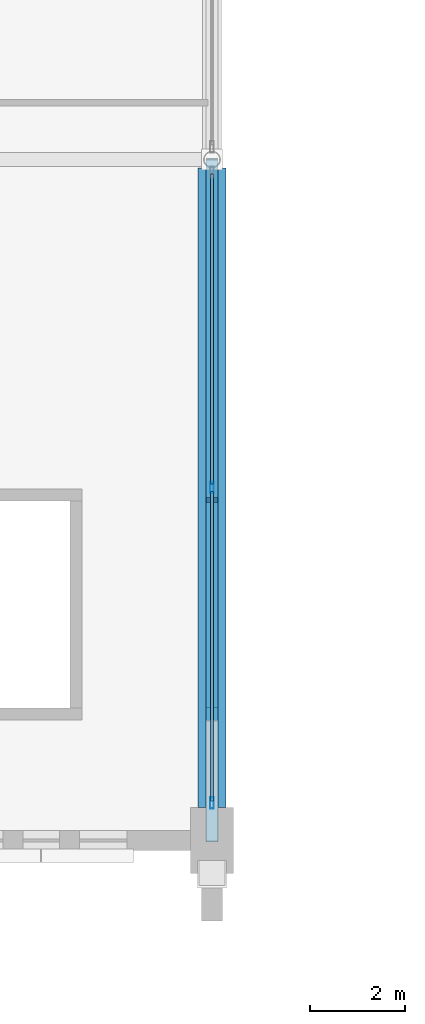
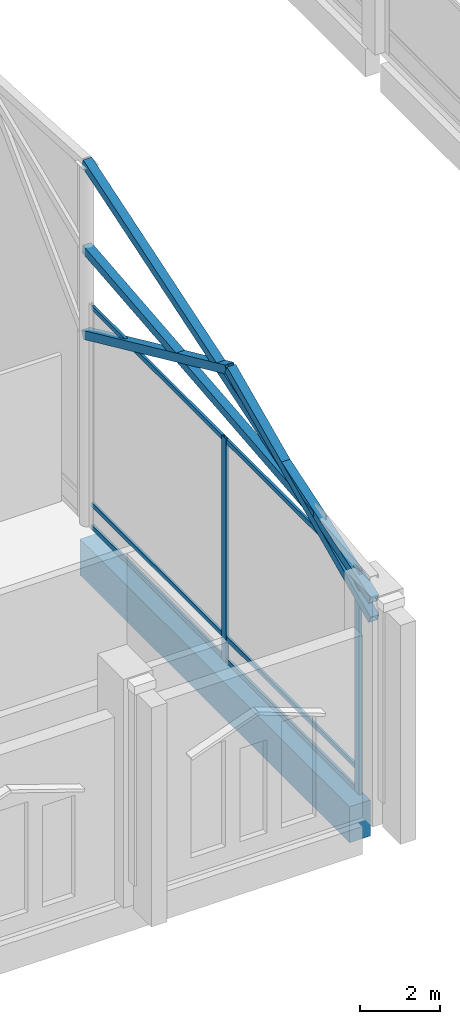
# One storey, part 48 of 220: 12 members, 1 beam, 1 element without a shape of its own.
"""IFC4 building model written with IfcOpenShell, lengths in metres."""

from ifc_helpers import new_model, si_unit, direction, frame, origin, origin_2d, place, context, subcontext, project, spatial, rectangle, hollow_rectangle, extrude, material, material_profile, profile_set, type_object, element, aggregate, save


model = new_model("IFC4")

# Units and contexts
model_context = context("Model", 3, precision=1e-05, world=origin(), true_north=direction((0.0, 1.0)))
body_context = subcontext(model_context, "Body", "Model", "MODEL_VIEW")
ifc_project = project(units=[si_unit("LENGTHUNIT", "METRE"), si_unit("AREAUNIT", "SQUARE_METRE"), si_unit("VOLUMEUNIT", "CUBIC_METRE"), si_unit("PLANEANGLEUNIT", "RADIAN"), si_unit("MASSUNIT", "GRAM", prefix="KILO")], contexts=[model_context])

# Site, building, storey
site_placement = place(None, origin())
site = spatial("IfcSite", under=ifc_project, at=site_placement, CompositionType="ELEMENT")
building_placement = place(site_placement, origin())
building = spatial("IfcBuilding", under=site, at=building_placement, Name="Cendralis Lancet Convention Centre", CompositionType="ELEMENT")
storey_placement = place(building_placement, frame((0.0, 0.0, 5.39990234375)))
storey = spatial("IfcBuildingStorey", under=building, at=storey_placement, Name="L01", CompositionType="ELEMENT", Elevation=5.39990234375)

# Curtain wall, members
ifc_material_1 = material(Name="Anodised bronze architectural aluminium", Category="aluminium")
curtain_wall_type = type_object("IfcCurtainWallType", Name="ARC-CW-GB02", PredefinedType="USERDEFINED", material=ifc_material_1)
curtain_wall_placement = place(storey_placement, origin())
curtain_wall = element("IfcCurtainWall", 1, at=curtain_wall_placement, inside=storey, type_object=curtain_wall_type, Name="L01 Curtain Wall CW-GB2 #105", ObjectType="CURTAIN WALL", PredefinedType="USERDEFINED")
ifc_material_profile_1 = material_profile(ifc_material_1, hollow_rectangle(XDim=0.080078125, YDim=0.239990234375, WallThickness=0.0048828125, at=origin_2d()), Name="AL-MULL 80x240x5.0")
ifc_profile_set_1 = profile_set([ifc_material_profile_1], Name="Anodised bronze architectural aluminium")
member_type_1 = type_object("IfcMemberType", Name="ARC-CW-ML03", PredefinedType="MULLION", material=ifc_profile_set_1)
member_1_placement = place(storey_placement, frame((122.39990234375, 57.861083984375, 0.0), z_axis=(0.0, 0.0, 1.0), x_axis=(1.0, 0.0, 0.0)))
member_1 = element("IfcMember", 2, at=member_1_placement, type_object=member_type_1, Name="Mullion CW2-CW-GB2-L01-105-M1", PredefinedType="MULLION", context=body_context, shape_type="SweptSolid", body=[
    extrude(hollow_rectangle(XDim=0.080078125, YDim=0.239990234375, WallThickness=0.0048828125, at=origin_2d()), origin(), (0.0, 0.0, 1.0), 6.85009765625),
])
member_2_placement = place(storey_placement, frame((122.39990234375, 51.18994140625, 0.0), z_axis=(0.0, 0.0, 1.0), x_axis=(1.0, 0.0, 0.0)))
member_2 = element("IfcMember", 3, at=member_2_placement, type_object=member_type_1, Name="Mullion CW2-CW-GB2-L01-105-M2", PredefinedType="MULLION", context=body_context, shape_type="SweptSolid", body=[
    extrude(hollow_rectangle(XDim=0.080078125, YDim=0.239990234375, WallThickness=0.0048828125, at=origin_2d()), origin(), (0.0, 0.0, 1.0), 6.85009765625),
])
ifc_material_profile_2 = material_profile(ifc_material_1, hollow_rectangle(XDim=0.070068359375, YDim=0.139892578125, WallThickness=0.00390625, at=origin_2d()), Name="AL-TRAN 70x140x4.0")
ifc_profile_set_2 = profile_set([ifc_material_profile_2], Name="Anodised bronze architectural aluminium")
member_type_2 = type_object("IfcMemberType", Name="ARC-CW-TR02", PredefinedType="USERDEFINED", material=ifc_profile_set_2)
member_3_placement = place(storey_placement, frame((122.39990234375, 64.4921875, 0.070068359375), z_axis=(0.0, -1.0, 0.0), x_axis=(1.0, 0.0, 0.0)))
member_3 = element("IfcMember", 4, at=member_3_placement, type_object=member_type_2, Name="Transom CW2-CW-GB2-L01-105-T0BOT", ObjectType="TRANSOM", PredefinedType="USERDEFINED", context=body_context, shape_type="SweptSolid", body=[
    extrude(hollow_rectangle(XDim=0.070068359375, YDim=0.139892578125, WallThickness=0.00390625, at=origin_2d()), origin(), (0.0, 0.0, 1.0), 6.551025390625),
])
member_4_placement = place(storey_placement, frame((122.39990234375, 64.4921875, 0.75), z_axis=(0.0, -1.0, 0.0), x_axis=(1.0, 0.0, 0.0)))
member_4 = element("IfcMember", 5, at=member_4_placement, type_object=member_type_2, Name="Transom CW2-CW-GB2-L01-105-T0MID", ObjectType="TRANSOM", PredefinedType="USERDEFINED", context=body_context, shape_type="SweptSolid", body=[
    extrude(hollow_rectangle(XDim=0.070068359375, YDim=0.139892578125, WallThickness=0.00390625, at=origin_2d()), origin(), (0.0, 0.0, 1.0), 6.551025390625),
])
member_5_placement = place(storey_placement, frame((122.39990234375, 64.4921875, 6.780029296875), z_axis=(0.0, -1.0, 0.0), x_axis=(1.0, 0.0, 0.0)))
member_5 = element("IfcMember", 6, at=member_5_placement, type_object=member_type_2, Name="Transom CW2-CW-GB2-L01-105-T0TOP", ObjectType="TRANSOM", PredefinedType="USERDEFINED", context=body_context, shape_type="SweptSolid", body=[
    extrude(hollow_rectangle(XDim=0.070068359375, YDim=0.139892578125, WallThickness=0.00390625, at=origin_2d()), origin(), (0.0, 0.0, 1.0), 6.551025390625),
])
member_6_placement = place(storey_placement, frame((122.39990234375, 57.781005859375, 0.070068359375), z_axis=(0.0, -1.0, 0.0), x_axis=(1.0, 0.0, 0.0)))
member_6 = element("IfcMember", 7, at=member_6_placement, type_object=member_type_2, Name="Transom CW2-CW-GB2-L01-105-T1BOT", ObjectType="TRANSOM", PredefinedType="USERDEFINED", context=body_context, shape_type="SweptSolid", body=[
    extrude(hollow_rectangle(XDim=0.070068359375, YDim=0.139892578125, WallThickness=0.00390625, at=origin_2d()), origin(), (0.0, 0.0, 1.0), 6.551025390625),
])
member_7_placement = place(storey_placement, frame((122.39990234375, 57.781005859375, 0.75), z_axis=(0.0, -1.0, 0.0), x_axis=(1.0, 0.0, 0.0)))
member_7 = element("IfcMember", 8, at=member_7_placement, type_object=member_type_2, Name="Transom CW2-CW-GB2-L01-105-T1MID", ObjectType="TRANSOM", PredefinedType="USERDEFINED", context=body_context, shape_type="SweptSolid", body=[
    extrude(hollow_rectangle(XDim=0.070068359375, YDim=0.139892578125, WallThickness=0.00390625, at=origin_2d()), origin(), (0.0, 0.0, 1.0), 6.551025390625),
])
member_8_placement = place(storey_placement, frame((122.39990234375, 57.781005859375, 6.780029296875), z_axis=(0.0, -1.0, 0.0), x_axis=(1.0, 0.0, 0.0)))
member_8 = element("IfcMember", 9, at=member_8_placement, type_object=member_type_2, Name="Transom CW2-CW-GB2-L01-105-T1TOP", ObjectType="TRANSOM", PredefinedType="USERDEFINED", context=body_context, shape_type="SweptSolid", body=[
    extrude(hollow_rectangle(XDim=0.070068359375, YDim=0.139892578125, WallThickness=0.00390625, at=origin_2d()), origin(), (0.0, 0.0, 1.0), 6.551025390625),
])
aggregate(curtain_wall, [member_1, member_2, member_3, member_4, member_5, member_6, member_7, member_8])

# Beam
ifc_material_2 = material(Name="Concrete G40 (C40/50)", Category="concrete")
ifc_material_profile_3 = material_profile(ifc_material_2, rectangle(XDim=0.60009765625, YDim=1.10009765625, at=origin_2d()), Name="RCB 600x1100")
ifc_profile_set_3 = profile_set([ifc_material_profile_3], Name="Concrete G40 (C40/50)")
beam_type = type_object("IfcBeamType", Name="STR-BM-BG02-EXT", PredefinedType="BEAM", material=ifc_profile_set_3)
beam_placement = place(storey_placement, frame((122.39990234375, 51.10009765625, -0.829833984375), z_axis=(0.0, 1.0, 0.0), x_axis=(-1.0, 0.0, 0.0)))
element("IfcBeam", 10, at=beam_placement, inside=storey, type_object=beam_type, Name="L01 Beam BG02 #1225", PredefinedType="BEAM", context=body_context, shape_type="SweptSolid", body=[
    extrude(rectangle(XDim=0.60009765625, YDim=1.10009765625, at=origin_2d()), origin(), (0.0, 0.0, 1.0), 13.522216796875),
])

# Members
ifc_material_3 = material(Name="Steel S355", Category="steel")
ifc_material_profile_4 = material_profile(ifc_material_3, hollow_rectangle(XDim=0.25, YDim=0.25, WallThickness=0.012451171875, at=origin_2d()), Name="SHS 250x250x12.5")
ifc_profile_set_4 = profile_set([ifc_material_profile_4], Name="Steel S355")
member_type_3 = type_object("IfcMemberType", Name="STR-BR-GB01", PredefinedType="BRACE", material=ifc_profile_set_4)
member_9_placement = place(storey_placement, frame((122.39990234375, 50.39990234375, 5.800048828125), z_axis=(0.0, 0.909358515773, 0.416013328862), x_axis=(-1.0, 0.0, 0.0)))
element("IfcMember", 11, at=member_9_placement, inside=storey, type_object=member_type_3, Name="Exhibition Gable Gothic Ogival Tracery Rib GBR1 #031", PredefinedType="BRACE", context=body_context, shape_type="SweptSolid", body=[
    extrude(hollow_rectangle(XDim=0.25, YDim=0.25, WallThickness=0.012451171875, at=origin_2d()), origin(), (0.0, 0.0, 1.0), 7.91796875),
])
member_10_placement = place(storey_placement, frame((122.39990234375, 64.800048828125, 5.800048828125), z_axis=(0.0, -0.909353179185, 0.416024993848), x_axis=(1.0, 0.0, 0.0)))
element("IfcMember", 12, at=member_10_placement, inside=storey, type_object=member_type_3, Name="Exhibition Gable Gothic Ogival Tracery Rib GBR1 #032", PredefinedType="BRACE", context=body_context, shape_type="SweptSolid", body=[
    extrude(hollow_rectangle(XDim=0.25, YDim=0.25, WallThickness=0.012451171875, at=origin_2d()), origin(), (0.0, 0.0, 1.0), 7.917724609375),
])
member_11_placement = place(storey_placement, frame((122.39990234375, 50.39990234375, 6.400146484375), z_axis=(0.0, 0.951599074854, 0.307342155807), x_axis=(-1.0, 0.0, 0.0)))
element("IfcMember", 13, at=member_11_placement, inside=storey, type_object=member_type_3, Name="Exhibition Gable Gothic Ogival Tracery Rib GBR1 #033", PredefinedType="BRACE", context=body_context, shape_type="SweptSolid", body=[
    extrude(hollow_rectangle(XDim=0.25, YDim=0.25, WallThickness=0.012451171875, at=origin_2d()), origin(), (0.0, 0.0, 1.0), 15.132568359375),
])
member_12_placement = place(storey_placement, frame((122.39990234375, 64.800048828125, 8.425537109375), z_axis=(0.0, -0.995136423863, -0.098506334323), x_axis=(1.0, 0.0, 0.0)))
element("IfcMember", 14, at=member_12_placement, inside=storey, type_object=member_type_3, Name="Exhibition Gable Split X-Brace Rib GBR1 #034", PredefinedType="BRACE", context=body_context, shape_type="SweptSolid", body=[
    extrude(hollow_rectangle(XDim=0.25, YDim=0.25, WallThickness=0.012451171875, at=origin_2d()), origin(), (0.0, 0.0, 1.0), 11.6337890625),
])

save(model, "model.ifc")
